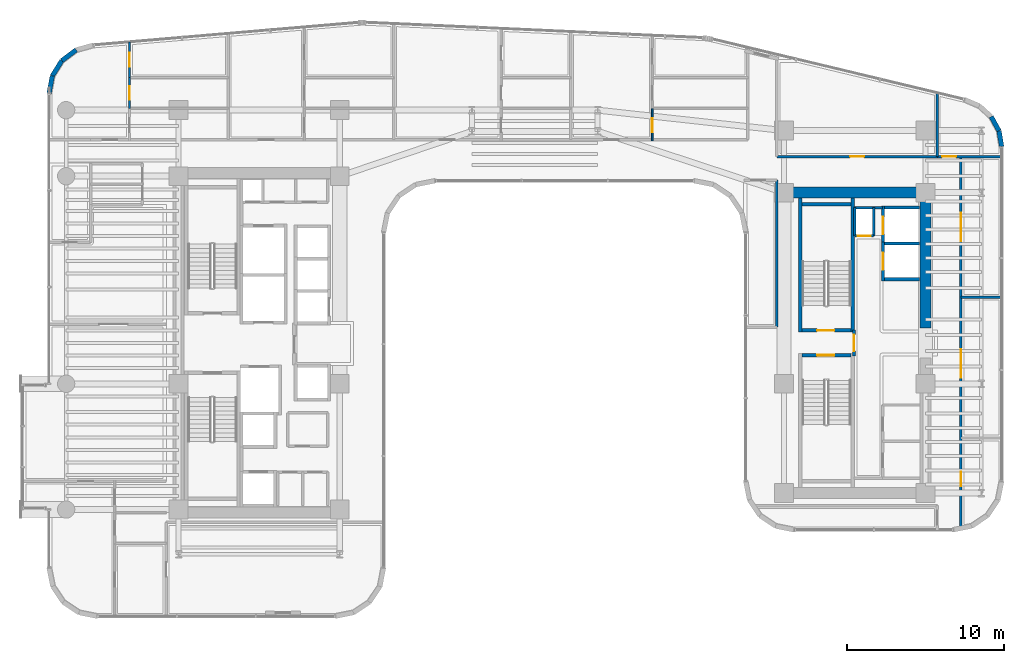
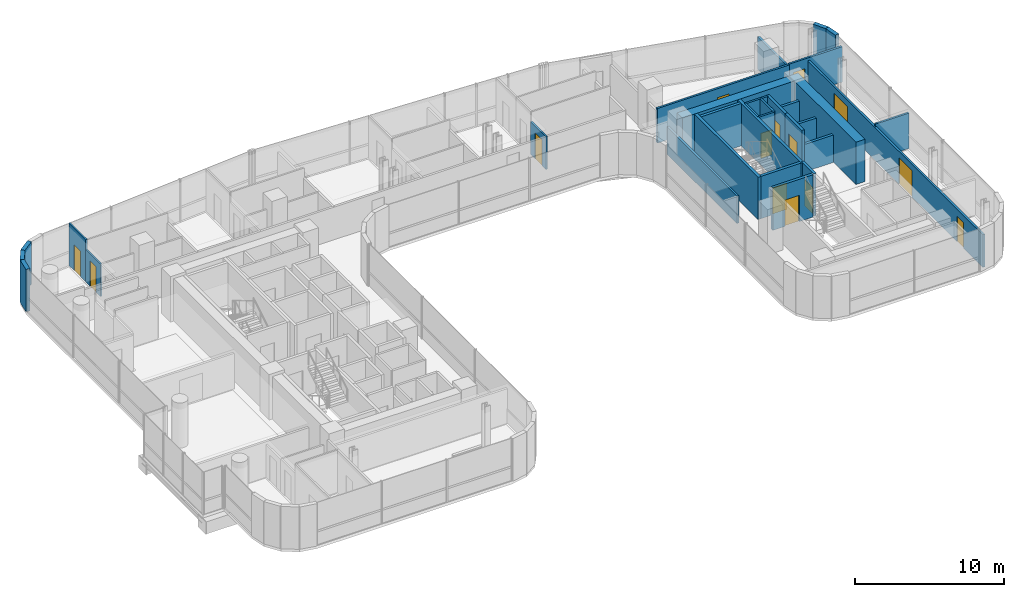
# One storey, part 31 of 38: 31 walls, 14 doors, 14 openings.
"""IFC4 building model written with IfcOpenShell, lengths in metres."""

from ifc_helpers import new_model, si_unit, direction, frame, frame_2d, origin, place, context, subcontext, project, spatial, rectangle, extrude, material, layer, layer_set, type_object, element, fill, save


model = new_model("IFC4")

# Units and contexts
model_context = context("Model", 3, precision=1e-05, world=origin(), true_north=direction((0.0, 1.0)))
body_context = subcontext(model_context, "Body", "Model", "MODEL_VIEW")
ifc_project = project(units=[si_unit("LENGTHUNIT", "METRE"), si_unit("AREAUNIT", "SQUARE_METRE"), si_unit("VOLUMEUNIT", "CUBIC_METRE"), si_unit("PLANEANGLEUNIT", "RADIAN"), si_unit("MASSUNIT", "GRAM", prefix="KILO")], contexts=[model_context])

# Site, building, storey
site_placement = place(None, origin())
site = spatial("IfcSite", under=ifc_project, at=site_placement, CompositionType="ELEMENT")
building_placement = place(site_placement, origin())
building = spatial("IfcBuilding", under=site, at=building_placement, Name="Valdorenza Pilgrim Sanctuary Tower", CompositionType="ELEMENT")
storey_placement = place(building_placement, frame((0.0, 0.0, 131.60009765625)))
storey = spatial("IfcBuildingStorey", under=building, at=storey_placement, Name="L33", CompositionType="ELEMENT", Elevation=131.60009765625)

# Wall, opening, door
ifc_material_1 = material(Name="Acoustic twin-stud gypsum partition", Category="gypsum")
ifc_layer_1 = layer(ifc_material_1, 0.159912109375, Name="Acoustic twin-stud gypsum partition")
ifc_layer_set_1 = layer_set([ifc_layer_1], Name="Acoustic twin-stud gypsum partition")
wall_type_1 = type_object("IfcWallType", Name="WAL-COR-160", PredefinedType="PARTITIONING", material=ifc_layer_set_1)
wall_1_placement = place(storey_placement, frame((20.35009765625, 6.800048828125, 0.0), z_axis=(0.0, 0.0, 1.0), x_axis=(1.0, 0.0, 0.0)))
wall_1 = element("IfcWall", 1, at=wall_1_placement, inside=storey, type_object=wall_type_1, Name="L33 Core B Riser South Wall", PredefinedType="PARTITIONING", context=body_context, shape_type="SweptSolid", body=[
    extrude(rectangle(XDim=1.199951171875, YDim=0.159912109375, at=frame_2d((0.60009765625, 0.0))), origin(), (0.0, 0.0, 1.0), 3.4599609375),
])
opening_1_placement = place(wall_1_placement, frame((0.175048828125, 0.0, 0.0)))
opening_1 = element("IfcOpeningElement", 2, at=opening_1_placement, cuts=wall_1, Name="Opening DR-RS1", PredefinedType="OPENING", context=body_context, shape_type="SweptSolid", body=[
    extrude(rectangle(XDim=0.85009765625, YDim=2.050048828125, at=frame_2d((0.425048828125, 1.02490234375))), frame((0.0, 0.0947265625, 0.0), z_axis=(0.0, -1.0, 0.0), x_axis=(1.0, 0.0, 0.0)), (0.0, 0.0, 1.0), 0.189697265625),
])
ifc_material_2 = material(Name="Painted galvanized steel", Category="steel")
door_type_1 = type_object("IfcDoorType", Name="DR-RSR-850", OperationType="NOTDEFINED", PredefinedType="DOOR", material=ifc_material_2)
door_1_placement = place(opening_1_placement, origin())
door_1 = element("IfcDoor", 3, at=door_1_placement, inside=storey, type_object=door_type_1, Name="L33 Core B Electrical Riser Door", OperationType="SINGLE_SWING_RIGHT", OverallHeight=2.050048828125, OverallWidth=0.85009765625, PredefinedType="DOOR", context=body_context, shape_type="SweptSolid", body=[
    extrude(rectangle(XDim=0.85009765625, YDim=2.050048828125, at=frame_2d((0.425048828125, 1.02490234375))), frame((0.0, 0.02490234375, 0.0), z_axis=(0.0, -1.0, 0.0), x_axis=(1.0, 0.0, 0.0)), (0.0, 0.0, 1.0), 0.050048828125),
])
fill(opening_1, door_1)

# Walls
for number, where, z_axis, x_axis, name in (
    (4, (21.550048828125, 6.800048828125, 0.0), (0.0, 0.0, 1.0), (0.0, 1.0, 0.0), "L33 Core B Riser East Wall"),
    (5, (20.35009765625, 6.800048828125, 0.0), (0.0, 0.0, 1.0), (0.0, 1.0, 0.0), "L33 Core B Riser West Wall"),
):
    element("IfcWall", number, at=place(storey_placement, frame(where, z_axis=z_axis, x_axis=x_axis)), inside=storey, type_object=wall_type_1, Name=name, PredefinedType="PARTITIONING", context=body_context, shape_type="SweptSolid", body=[
        extrude(rectangle(XDim=1.800048828125, YDim=0.159912109375, at=frame_2d((0.89990234375, 0.0))), origin(), (0.0, 0.0, 1.0), 3.4599609375),
    ])
wall_2_placement = place(storey_placement, frame((20.300048828125, 8.60009765625, 0.0), z_axis=(0.0, 0.0, 1.0), x_axis=(1.0, 0.0, 0.0)))
element("IfcWall", 6, at=wall_2_placement, inside=storey, type_object=wall_type_1, Name="L33 Core B Lift Hall North End Wall", PredefinedType="PARTITIONING", context=body_context, shape_type="SweptSolid", body=[
    extrude(rectangle(XDim=1.820068359375, YDim=0.159912109375, at=frame_2d((0.91015625, 0.0))), origin(), (0.0, 0.0, 1.0), 3.4599609375),
])

# Wall, opening, door
wall_3_placement = place(storey_placement, frame((15.39990234375, 11.85009765625, 0.0), z_axis=(0.0, 0.0, 1.0), x_axis=(1.0, 0.0, 0.0)))
wall_3 = element("IfcWall", 7, at=wall_3_placement, inside=storey, type_object=wall_type_1, Name="L33 Wing B North Corridor Wall", PredefinedType="PARTITIONING", context=body_context, shape_type="SweptSolid", body=[
    extrude(rectangle(XDim=10.2001953125, YDim=0.159912109375, at=frame_2d((5.10009765625, 0.0))), origin(), (0.0, 0.0, 1.0), 2.833984375),
])
opening_2_placement = place(wall_3_placement, frame((4.64990234375, 0.0, 0.0)))
opening_2 = element("IfcOpeningElement", 8, at=opening_2_placement, cuts=wall_3, Name="Opening DR-RM1", PredefinedType="OPENING", context=body_context, shape_type="SweptSolid", body=[
    extrude(rectangle(XDim=0.89990234375, YDim=2.10009765625, at=frame_2d((0.449951171875, 1.050048828125))), frame((0.0, 0.0947265625, 0.0), z_axis=(0.0, -1.0, 0.0), x_axis=(1.0, 0.0, 0.0)), (0.0, 0.0, 1.0), 0.189697265625),
])
ifc_material_3 = material(Name="Solid-core European oak timber", Category="wood")
door_type_2 = type_object("IfcDoorType", Name="DR-ROOM-900", OperationType="NOTDEFINED", PredefinedType="DOOR", material=ifc_material_3)
door_2_placement = place(opening_2_placement, origin())
door_2 = element("IfcDoor", 9, at=door_2_placement, inside=storey, type_object=door_type_2, Name="L33 Curator Research Office L33-BN1 Door", OperationType="SINGLE_SWING_RIGHT", OverallHeight=2.10009765625, OverallWidth=0.89990234375, PredefinedType="DOOR", context=body_context, shape_type="SweptSolid", body=[
    extrude(rectangle(XDim=0.89990234375, YDim=2.10009765625, at=frame_2d((0.449951171875, 1.050048828125))), frame((0.0, 0.02490234375, 0.0), z_axis=(0.0, -1.0, 0.0), x_axis=(1.0, 0.0, 0.0)), (0.0, 0.0, 1.0), 0.050048828125),
])
fill(opening_2, door_2)

# Wall
wall_4_placement = place(storey_placement, frame((25.60009765625, 11.85009765625, 0.0), z_axis=(0.0, 0.0, 1.0), x_axis=(0.0, 1.0, 0.0)))
element("IfcWall", 10, at=wall_4_placement, inside=storey, type_object=wall_type_1, Name="L33 Wing B North East Wall", PredefinedType="PARTITIONING", context=body_context, shape_type="SweptSolid", body=[
    extrude(rectangle(XDim=4.042236328125, YDim=0.159912109375, at=frame_2d((2.02099609375, 0.0))), origin(), (0.0, 0.0, 1.0), 2.666015625),
])

# Wall, openings, doors
wall_5_placement = place(storey_placement, frame((27.10009765625, -11.660888671875, 0.0), z_axis=(0.0, 0.0, 1.0), x_axis=(0.0, 1.0, 0.0)))
wall_5 = element("IfcWall", 11, at=wall_5_placement, inside=storey, type_object=wall_type_1, Name="L33 Wing B East Corridor Wall", PredefinedType="PARTITIONING", context=body_context, shape_type="SweptSolid", body=[
    extrude(rectangle(XDim=23.510986328125, YDim=0.159912109375, at=frame_2d((11.75537109375, 0.0))), origin(), (0.0, 0.0, 1.0), 2.666015625),
])
opening_3_placement = place(wall_5_placement, frame((2.56005859375, 0.0, 0.0)))
opening_3 = element("IfcOpeningElement", 12, at=opening_3_placement, cuts=wall_5, Name="Opening DR-RM1", PredefinedType="OPENING", context=body_context, shape_type="SweptSolid", body=[
    extrude(rectangle(XDim=0.89990234375, YDim=2.10009765625, at=frame_2d((0.449951171875, 1.050048828125))), frame((0.0, 0.0947265625, 0.0), z_axis=(0.0, -1.0, 0.0), x_axis=(1.0, 0.0, 0.0)), (0.0, 0.0, 1.0), 0.189697265625),
])
opening_4_placement = place(wall_5_placement, frame((9.450927734375, 0.0, 0.0)))
opening_4 = element("IfcOpeningElement", 13, at=opening_4_placement, cuts=wall_5, Name="Opening DR-HL1", PredefinedType="OPENING", context=body_context, shape_type="SweptSolid", body=[
    extrude(rectangle(XDim=1.800048828125, YDim=2.14990234375, at=frame_2d((0.89990234375, 1.074951171875))), frame((0.0, 0.0947265625, 0.0), z_axis=(0.0, -1.0, 0.0), x_axis=(1.0, 0.0, 0.0)), (0.0, 0.0, 1.0), 0.189697265625),
])
opening_5_placement = place(wall_5_placement, frame((18.135986328125, 0.0, 0.0)))
opening_5 = element("IfcOpeningElement", 14, at=opening_5_placement, cuts=wall_5, Name="Opening DR-HL1", PredefinedType="OPENING", context=body_context, shape_type="SweptSolid", body=[
    extrude(rectangle(XDim=1.800048828125, YDim=2.14990234375, at=frame_2d((0.89990234375, 1.074951171875))), frame((0.0, 0.0947265625, 0.0), z_axis=(0.0, -1.0, 0.0), x_axis=(1.0, 0.0, 0.0)), (0.0, 0.0, 1.0), 0.189697265625),
])
ifc_material_4 = material(Name="Acoustic oak and vision-glass double door", Category="glass")
door_type_3 = type_object("IfcDoorType", Name="DR-HALL-1800", OperationType="NOTDEFINED", PredefinedType="DOOR", material=ifc_material_4)
door_3_placement = place(opening_4_placement, origin())
door_3 = element("IfcDoor", 15, at=door_3_placement, inside=storey, type_object=door_type_3, Name="L33 East Reading Lounge L33-EB2 Door", OperationType="DOUBLE_DOOR_SINGLE_SWING", OverallHeight=2.14990234375, OverallWidth=1.800048828125, PredefinedType="DOOR", context=body_context, shape_type="SweptSolid", body=[
    extrude(rectangle(XDim=1.800048828125, YDim=2.14990234375, at=frame_2d((0.89990234375, 1.074951171875))), frame((0.0, 0.02490234375, 0.0), z_axis=(0.0, -1.0, 0.0), x_axis=(1.0, 0.0, 0.0)), (0.0, 0.0, 1.0), 0.050048828125),
])
fill(opening_4, door_3)
door_4_placement = place(opening_5_placement, frame((1.800048828125, 0.0, 0.0), z_axis=(0.0, 0.0, 1.0), x_axis=(-1.0, 0.0, 0.0)))
door_4 = element("IfcDoor", 16, at=door_4_placement, inside=storey, type_object=door_type_3, Name="L33 East Reading Lounge L33-EB3 Door", OperationType="DOUBLE_DOOR_SINGLE_SWING", OverallHeight=2.14990234375, OverallWidth=1.800048828125, PredefinedType="DOOR", context=body_context, shape_type="SweptSolid", body=[
    extrude(rectangle(XDim=1.800048828125, YDim=2.14990234375, at=frame_2d((0.89990234375, 1.074951171875))), frame((0.0, 0.02490234375, 0.0), z_axis=(0.0, -1.0, 0.0), x_axis=(1.0, 0.0, 0.0)), (0.0, 0.0, 1.0), 0.050048828125),
])
fill(opening_5, door_4)
door_5_placement = place(opening_3_placement, frame((0.89990234375, 0.0, 0.0), z_axis=(0.0, 0.0, 1.0), x_axis=(-1.0, 0.0, 0.0)))
door_5 = element("IfcDoor", 17, at=door_5_placement, inside=storey, type_object=door_type_2, Name="L33 East Reading Lounge L33-EB1 Door", OperationType="SINGLE_SWING_LEFT", OverallHeight=2.10009765625, OverallWidth=0.89990234375, PredefinedType="DOOR", context=body_context, shape_type="SweptSolid", body=[
    extrude(rectangle(XDim=0.89990234375, YDim=2.10009765625, at=frame_2d((0.449951171875, 1.050048828125))), frame((0.0, 0.02490234375, 0.0), z_axis=(0.0, -1.0, 0.0), x_axis=(1.0, 0.0, 0.0)), (0.0, 0.0, 1.0), 0.050048828125),
])
fill(opening_3, door_5)

# Wall, opening, door
wall_6_placement = place(storey_placement, frame((25.60009765625, 11.85009765625, 0.0), z_axis=(0.0, 0.0, 1.0), x_axis=(1.0, 0.0, 0.0)))
wall_6 = element("IfcWall", 18, at=wall_6_placement, inside=storey, type_object=wall_type_1, Name="L33 East Wing NE Corner South Wall", PredefinedType="PARTITIONING", context=body_context, shape_type="SweptSolid", body=[
    extrude(rectangle(XDim=4.08984375, YDim=0.159912109375, at=frame_2d((2.044921875, 0.0))), origin(), (0.0, 0.0, 1.0), 2.89599609375),
])
opening_6_placement = place(wall_6_placement, frame((0.300048828125, 0.0, 0.0)))
opening_6 = element("IfcOpeningElement", 19, at=opening_6_placement, cuts=wall_6, Name="Opening DR-RM1", PredefinedType="OPENING", context=body_context, shape_type="SweptSolid", body=[
    extrude(rectangle(XDim=0.89990234375, YDim=2.10009765625, at=frame_2d((0.449951171875, 1.050048828125))), frame((0.0, 0.0947265625, 0.0), z_axis=(0.0, -1.0, 0.0), x_axis=(1.0, 0.0, 0.0)), (0.0, 0.0, 1.0), 0.189697265625),
])
door_6_placement = place(opening_6_placement, origin())
door_6 = element("IfcDoor", 20, at=door_6_placement, inside=storey, type_object=door_type_2, Name="L33 East North Alcove Office L33 Door", OperationType="SINGLE_SWING_RIGHT", OverallHeight=2.10009765625, OverallWidth=0.89990234375, PredefinedType="DOOR", context=body_context, shape_type="SweptSolid", body=[
    extrude(rectangle(XDim=0.89990234375, YDim=2.10009765625, at=frame_2d((0.449951171875, 1.050048828125))), frame((0.0, 0.02490234375, 0.0), z_axis=(0.0, -1.0, 0.0), x_axis=(1.0, 0.0, 0.0)), (0.0, 0.0, 1.0), 0.050048828125),
])
fill(opening_6, door_6)

# Walls
wall_7_placement = place(storey_placement, frame((15.39990234375, 1.0, 0.0), z_axis=(0.0, 0.0, 1.0), x_axis=(0.0, 1.0, 0.0)))
element("IfcWall", 21, at=wall_7_placement, inside=storey, type_object=wall_type_1, Name="L33 Courtyard Overlook East Wall", PredefinedType="PARTITIONING", context=body_context, shape_type="SweptSolid", body=[
    extrude(rectangle(XDim=9.35009765625, YDim=0.159912109375, at=frame_2d((4.675048828125, 0.0))), origin(), (0.0, 0.0, 1.0), 2.244873046875),
])
ifc_material_5 = material(Name="Concrete C60/75", Category="concrete")
ifc_layer_2 = layer(ifc_material_5, 0.699951171875, Name="Concrete C60/75")
ifc_layer_set_2 = layer_set([ifc_layer_2], Name="Concrete C60/75")
wall_type_2 = type_object("IfcWallType", Name="WAL-COR-700", PredefinedType="SHEAR", material=ifc_layer_set_2)
wall_8_placement = place(storey_placement, frame((24.85009765625, 0.949951171875, 0.0), z_axis=(0.0, 0.0, 1.0), x_axis=(0.0, 1.0, 0.0)))
element("IfcWall", 22, at=wall_8_placement, inside=storey, type_object=wall_type_2, Name="L33 Split Core B Shear Wall EN", PredefinedType="SHEAR", context=body_context, shape_type="SweptSolid", body=[
    extrude(rectangle(XDim=8.949951171875, YDim=0.699951171875, at=frame_2d((4.47509765625, 0.0))), origin(), (0.0, 0.0, 1.0), 3.4599609375),
])
wall_9_placement = place(storey_placement, frame((15.85009765625, 9.550048828125, 0.0), z_axis=(0.0, 0.0, 1.0), x_axis=(1.0, 0.0, 0.0)))
element("IfcWall", 23, at=wall_9_placement, inside=storey, type_object=wall_type_2, Name="L33 Split Core B Shear Wall N", PredefinedType="SHEAR", context=body_context, shape_type="SweptSolid", body=[
    extrude(rectangle(XDim=9.0, YDim=0.699951171875, at=frame_2d((4.5, 0.0))), origin(), (0.0, 0.0, 1.0), 3.4599609375),
])
ifc_material_6 = material(Name="Honed travertine limestone", Category="masonry")
ifc_layer_3 = layer(ifc_material_6, 0.300048828125, Name="Honed travertine limestone")
ifc_layer_set_3 = layer_set([ifc_layer_3], Name="Honed travertine limestone")
wall_type_3 = type_object("IfcWallType", Name="WAL-EXT-300", PredefinedType="SOLIDWALL", material=ifc_layer_set_3)
wall_10_placement = place(storey_placement, frame((-30.889892578125, 15.850341796875, 0.0), z_axis=(0.0, 0.0, 1.0), x_axis=(0.184557499391, 0.982821718023, 0.0)))
element("IfcWall", 24, at=wall_10_placement, inside=storey, type_object=wall_type_3, Name="L33 Rounded Wind-Corner Stone Pier 2", PredefinedType="SOLIDWALL", context=body_context, shape_type="SweptSolid", body=[
    extrude(rectangle(XDim=1.15087890625, YDim=0.300048828125, at=frame_2d((0.575439453125, 0.0))), origin(), (0.0, 0.0, 1.0), 3.4599609375),
])
wall_11_placement = place(storey_placement, frame((-30.677490234375, 16.9814453125, 0.0), z_axis=(0.0, 0.0, 1.0), x_axis=(0.52880576008, 0.848742875143, 0.0)))
element("IfcWall", 25, at=wall_11_placement, inside=storey, type_object=wall_type_3, Name="L33 Rounded Wind-Corner Stone Pier 3", PredefinedType="SOLIDWALL", context=body_context, shape_type="SweptSolid", body=[
    extrude(rectangle(XDim=1.140869140625, YDim=0.300048828125, at=frame_2d((0.5703125, 0.0))), origin(), (0.0, 0.0, 1.0), 3.4599609375),
])
wall_12_placement = place(storey_placement, frame((-30.07421875, 17.94970703125, 0.0), z_axis=(0.0, 0.0, 1.0), x_axis=(0.800975009324, 0.598697782223, 0.0)))
element("IfcWall", 26, at=wall_12_placement, inside=storey, type_object=wall_type_3, Name="L33 Rounded Wind-Corner Stone Pier 4", PredefinedType="SOLIDWALL", context=body_context, shape_type="SweptSolid", body=[
    extrude(rectangle(XDim=1.140625, YDim=0.300048828125, at=frame_2d((0.5703125, 0.0))), origin(), (0.0, 0.0, 1.0), 3.4599609375),
])
wall_13_placement = place(storey_placement, frame((29.024658203125, 14.388427734375, 0.0), z_axis=(0.0, 0.0, 1.0), x_axis=(0.480284137298, -0.87711296163, 0.0)))
element("IfcWall", 27, at=wall_13_placement, inside=storey, type_object=wall_type_3, Name="L33 Rounded Wind-Corner Stone Pier 19", PredefinedType="SOLIDWALL", context=body_context, shape_type="SweptSolid", body=[
    extrude(rectangle(XDim=1.02685546875, YDim=0.300048828125, at=frame_2d((0.513427734375, 0.0))), origin(), (0.0, 0.0, 1.0), 3.4599609375),
])
wall_14_placement = place(storey_placement, frame((29.517822265625, 13.48779296875, 0.0), z_axis=(0.0, 0.0, 1.0), x_axis=(0.166156796952, -0.986099345313, 0.0)))
element("IfcWall", 28, at=wall_14_placement, inside=storey, type_object=wall_type_3, Name="L33 Rounded Wind-Corner Stone Pier 20", PredefinedType="SOLIDWALL", context=body_context, shape_type="SweptSolid", body=[
    extrude(rectangle(XDim=1.035888671875, YDim=0.300048828125, at=frame_2d((0.51806640625, 0.0))), origin(), (0.0, 0.0, 1.0), 3.4599609375),
])

# Wall, opening, door
ifc_material_7 = material(Name="Gypsum shaftwall partition", Category="gypsum")
ifc_layer_4 = layer(ifc_material_7, 0.199951171875, Name="Gypsum shaftwall partition")
ifc_layer_set_4 = layer_set([ifc_layer_4], Name="Gypsum shaftwall partition")
wall_type_4 = type_object("IfcWallType", Name="WAL-FFL-200", PredefinedType="PARTITIONING", material=ifc_layer_set_4)
wall_15_placement = place(storey_placement, frame((20.300048828125, -0.820068359375, 0.0), z_axis=(0.0, 0.0, 1.0), x_axis=(0.0, 1.0, 0.0)))
wall_15 = element("IfcWall", 29, at=wall_15_placement, inside=storey, type_object=wall_type_4, Name="L33 Core B Firefighting Lobby East Wall", PredefinedType="PARTITIONING", context=body_context, shape_type="SweptSolid", body=[
    extrude(rectangle(XDim=1.64013671875, YDim=0.199951171875, at=frame_2d((0.820068359375, 0.0))), origin(), (0.0, 0.0, 1.0), 3.4599609375),
])
opening_7_placement = place(wall_15_placement, frame((0.294921875, 0.0, 0.0)))
opening_7 = element("IfcOpeningElement", 30, at=opening_7_placement, cuts=wall_15, Name="Opening DR-FL1", PredefinedType="OPENING", context=body_context, shape_type="SweptSolid", body=[
    extrude(rectangle(XDim=1.050048828125, YDim=2.14990234375, at=frame_2d((0.52490234375, 1.074951171875))), frame((0.0, 0.11474609375, 0.0), z_axis=(0.0, -1.0, 0.0), x_axis=(1.0, 0.0, 0.0)), (0.0, 0.0, 1.0), 0.229736328125),
])
door_type_4 = type_object("IfcDoorType", Name="DR-FFL-1050", OperationType="NOTDEFINED", PredefinedType="DOOR", material=ifc_material_2)
door_7_placement = place(opening_7_placement, frame((1.050048828125, 0.0, 0.0), z_axis=(0.0, 0.0, 1.0), x_axis=(-1.0, 0.0, 0.0)))
door_7 = element("IfcDoor", 31, at=door_7_placement, inside=storey, type_object=door_type_4, Name="L33 Core B Firefighting Lobby Door", OperationType="SINGLE_SWING_LEFT", OverallHeight=2.14990234375, OverallWidth=1.050048828125, PredefinedType="DOOR", context=body_context, shape_type="SweptSolid", body=[
    extrude(rectangle(XDim=1.050048828125, YDim=2.14990234375, at=frame_2d((0.52490234375, 1.074951171875))), frame((0.0, 0.02490234375, 0.0), z_axis=(0.0, -1.0, 0.0), x_axis=(1.0, 0.0, 0.0)), (0.0, 0.0, 1.0), 0.050048828125),
])
fill(opening_7, door_7)

ifc_material_8 = material(Name="Moisture-resistant gypsum partition", Category="gypsum")
ifc_layer_5 = layer(ifc_material_8, 0.1201171875, Name="Moisture-resistant gypsum partition")
ifc_layer_set_5 = layer_set([ifc_layer_5], Name="Moisture-resistant gypsum partition")
wall_type_5 = type_object("IfcWallType", Name="WAL-INT-120", PredefinedType="PARTITIONING", material=ifc_layer_set_5)
wall_16_placement = place(storey_placement, frame((-25.77490234375, 14.919921875, 0.0), z_axis=(0.0, 0.0, 1.0), x_axis=(0.0, 1.0, 0.0)))
wall_16 = element("IfcWall", 32, at=wall_16_placement, inside=storey, type_object=wall_type_5, Name="L33 North Sanctuary Apartment L33-N1 Bathroom Door Wall", PredefinedType="PARTITIONING", context=body_context, shape_type="SweptSolid", body=[
    extrude(rectangle(XDim=1.9501953125, YDim=0.1201171875, at=frame_2d((0.97509765625, 0.0))), origin(), (0.0, 0.0, 1.0), 2.666015625),
])
opening_8_placement = place(wall_16_placement, frame((0.550048828125, 0.0, 0.0)))
opening_8 = element("IfcOpeningElement", 33, at=opening_8_placement, cuts=wall_16, Name="Opening DR-WC1", PredefinedType="OPENING", context=body_context, shape_type="SweptSolid", body=[
    extrude(rectangle(XDim=0.85009765625, YDim=2.10009765625, at=frame_2d((0.425048828125, 1.050048828125))), frame((0.0, 0.074951171875, 0.0), z_axis=(0.0, -1.0, 0.0), x_axis=(1.0, 0.0, 0.0)), (0.0, 0.0, 1.0), 0.14990234375),
])
ifc_material_9 = material(Name="Moisture-resistant lacquered timber", Category="wood")
door_type_5 = type_object("IfcDoorType", Name="DR-BATH-850", OperationType="NOTDEFINED", PredefinedType="DOOR", material=ifc_material_9)
door_8_placement = place(opening_8_placement, origin())
door_8 = element("IfcDoor", 34, at=door_8_placement, inside=storey, type_object=door_type_5, Name="L33 North Sanctuary Apartment L33-N1 Bathroom Door", OperationType="SINGLE_SWING_LEFT", OverallHeight=2.10009765625, OverallWidth=0.85009765625, PredefinedType="DOOR", context=body_context, shape_type="SweptSolid", body=[
    extrude(rectangle(XDim=0.85009765625, YDim=2.10009765625, at=frame_2d((0.425048828125, 1.050048828125))), frame((0.0, 0.02490234375, 0.0), z_axis=(0.0, -1.0, 0.0), x_axis=(1.0, 0.0, 0.0)), (0.0, 0.0, 1.0), 0.050048828125),
])
fill(opening_8, door_8)

wall_17_placement = place(storey_placement, frame((-25.77490234375, 16.8701171875, 0.0), z_axis=(0.0, 0.0, 1.0), x_axis=(0.0, 1.0, 0.0)))
wall_17 = element("IfcWall", 35, at=wall_17_placement, inside=storey, type_object=wall_type_5, Name="L33 North Sanctuary Apartment L33-N1 Bedroom Door Wall", PredefinedType="PARTITIONING", context=body_context, shape_type="SweptSolid", body=[
    extrude(rectangle(XDim=2.263671875, YDim=0.1201171875, at=frame_2d((1.1318359375, 0.0))), origin(), (0.0, 0.0, 1.0), 3.4599609375),
])
opening_9_placement = place(wall_17_placement, frame((0.681884765625, 0.0, 0.0)))
opening_9 = element("IfcOpeningElement", 36, at=opening_9_placement, cuts=wall_17, Name="Opening DR-RM1", PredefinedType="OPENING", context=body_context, shape_type="SweptSolid", body=[
    extrude(rectangle(XDim=0.89990234375, YDim=2.10009765625, at=frame_2d((0.449951171875, 1.050048828125))), frame((0.0, 0.074951171875, 0.0), z_axis=(0.0, -1.0, 0.0), x_axis=(1.0, 0.0, 0.0)), (0.0, 0.0, 1.0), 0.14990234375),
])
door_9_placement = place(opening_9_placement, frame((0.89990234375, 0.0, 0.0), z_axis=(0.0, 0.0, 1.0), x_axis=(-1.0, 0.0, 0.0)))
door_9 = element("IfcDoor", 37, at=door_9_placement, inside=storey, type_object=door_type_2, Name="L33 North Sanctuary Apartment L33-N1 Bedroom Door", OperationType="SINGLE_SWING_LEFT", OverallHeight=2.10009765625, OverallWidth=0.89990234375, PredefinedType="DOOR", context=body_context, shape_type="SweptSolid", body=[
    extrude(rectangle(XDim=0.89990234375, YDim=2.10009765625, at=frame_2d((0.449951171875, 1.050048828125))), frame((0.0, 0.02490234375, 0.0), z_axis=(0.0, -1.0, 0.0), x_axis=(1.0, 0.0, 0.0)), (0.0, 0.0, 1.0), 0.050048828125),
])
fill(opening_9, door_9)

wall_18_placement = place(storey_placement, frame((7.468017578125, 12.840087890625, 0.0), z_axis=(0.0, 0.0, 1.0), x_axis=(0.0, 1.0, 0.0)))
wall_18 = element("IfcWall", 38, at=wall_18_placement, inside=storey, type_object=wall_type_5, Name="L33 North Sanctuary Apartment L33-N4 Kitchen Door Wall", PredefinedType="PARTITIONING", context=body_context, shape_type="SweptSolid", body=[
    extrude(rectangle(XDim=2.079833984375, YDim=0.1201171875, at=frame_2d((1.0400390625, 0.0))), origin(), (0.0, 0.0, 1.0), 2.666015625),
])
opening_10_placement = place(wall_18_placement, frame((0.550048828125, 0.0, 0.0)))
opening_10 = element("IfcOpeningElement", 39, at=opening_10_placement, cuts=wall_18, Name="Opening DR-RM1", PredefinedType="OPENING", context=body_context, shape_type="SweptSolid", body=[
    extrude(rectangle(XDim=0.89990234375, YDim=2.10009765625, at=frame_2d((0.449951171875, 1.050048828125))), frame((0.0, 0.074951171875, 0.0), z_axis=(0.0, -1.0, 0.0), x_axis=(1.0, 0.0, 0.0)), (0.0, 0.0, 1.0), 0.14990234375),
])
door_10_placement = place(opening_10_placement, origin())
door_10 = element("IfcDoor", 40, at=door_10_placement, inside=storey, type_object=door_type_2, Name="L33 North Sanctuary Apartment L33-N4 Kitchen Door", OperationType="SINGLE_SWING_RIGHT", OverallHeight=2.10009765625, OverallWidth=0.89990234375, PredefinedType="DOOR", context=body_context, shape_type="SweptSolid", body=[
    extrude(rectangle(XDim=0.89990234375, YDim=2.10009765625, at=frame_2d((0.449951171875, 1.050048828125))), frame((0.0, 0.02490234375, 0.0), z_axis=(0.0, -1.0, 0.0), x_axis=(1.0, 0.0, 0.0)), (0.0, 0.0, 1.0), 0.050048828125),
])
fill(opening_10, door_10)

ifc_material_10 = material(Name="Autoclaved aerated concrete blockwork", Category="masonry")
ifc_layer_6 = layer(ifc_material_10, 0.199951171875, Name="Autoclaved aerated concrete blockwork")
ifc_layer_set_6 = layer_set([ifc_layer_6], Name="Autoclaved aerated concrete blockwork")
wall_type_6 = type_object("IfcWallType", Name="WAL-SHF-200", PredefinedType="MOVABLE", material=ifc_layer_set_6)
wall_19_placement = place(storey_placement, frame((22.14990234375, 3.949951171875, 0.0), z_axis=(0.0, 0.0, 1.0), x_axis=(0.0, 1.0, 0.0)))
wall_19 = element("IfcWall", 41, at=wall_19_placement, inside=storey, type_object=wall_type_6, Name="L33 Lift PL-07 Hoistway Wall West", PredefinedType="MOVABLE", context=body_context, shape_type="SweptSolid", body=[
    extrude(rectangle(XDim=2.47509765625, YDim=0.199951171875, at=frame_2d((1.237548828125, 0.0))), origin(), (0.0, 0.0, 1.0), 3.4599609375),
])
opening_11_placement = place(wall_19_placement, frame((0.6875, 0.0, 0.0)))
opening_11 = element("IfcOpeningElement", 42, at=opening_11_placement, cuts=wall_19, Name="Opening LD-01", PredefinedType="OPENING", context=body_context, shape_type="SweptSolid", body=[
    extrude(rectangle(XDim=1.10009765625, YDim=2.10009765625, at=frame_2d((0.550048828125, 1.050048828125))), frame((0.0, 0.11474609375, 0.0), z_axis=(0.0, -1.0, 0.0), x_axis=(1.0, 0.0, 0.0)), (0.0, 0.0, 1.0), 0.229736328125),
])
ifc_material_11 = material(Name="Brushed stainless steel Grade 316", Category="steel")
door_type_6 = type_object("IfcDoorType", Name="DR-LFT-1100", OperationType="DOUBLE_DOOR_SLIDING", PredefinedType="DOOR", material=ifc_material_11)
door_11_placement = place(opening_11_placement, origin())
door_11 = element("IfcDoor", 43, at=door_11_placement, inside=storey, type_object=door_type_6, Name="L33 Lift PL-07 Sliding Landing Door", OperationType="DOUBLE_DOOR_SLIDING", OverallHeight=2.10009765625, OverallWidth=1.10009765625, PredefinedType="DOOR", context=body_context, shape_type="SweptSolid", body=[
    extrude(rectangle(XDim=1.10009765625, YDim=2.10009765625, at=frame_2d((0.550048828125, 1.050048828125))), frame((0.0, 0.02490234375, 0.0), z_axis=(0.0, -1.0, 0.0), x_axis=(1.0, 0.0, 0.0)), (0.0, 0.0, 1.0), 0.050048828125),
])
fill(opening_11, door_11)

# Walls
for number, where, z_axis, x_axis, name in (
    (44, (22.25, 4.050048828125, 0.0), (0.0, 0.0, 1.0), (1.0, 0.0, 0.0), "L33 Lift PL-07 Hoistway Wall South"),
    (45, (22.25, 6.324951171875, 0.0), (0.0, 0.0, 1.0), (1.0, 0.0, 0.0), "L33 Lift PL-07 Hoistway Wall North"),
):
    element("IfcWall", number, at=place(storey_placement, frame(where, z_axis=z_axis, x_axis=x_axis)), inside=storey, type_object=wall_type_6, Name=name, PredefinedType="MOVABLE", context=body_context, shape_type="SweptSolid", body=[
        extrude(rectangle(XDim=2.22998046875, YDim=0.199951171875, at=frame_2d((1.114990234375, 0.0))), origin(), (0.0, 0.0, 1.0), 2.244873046875),
    ])

# Wall, opening, door
wall_20_placement = place(storey_placement, frame((22.14990234375, 6.22509765625, 0.0), z_axis=(0.0, 0.0, 1.0), x_axis=(0.0, 1.0, 0.0)))
wall_20 = element("IfcWall", 46, at=wall_20_placement, inside=storey, type_object=wall_type_6, Name="L33 Lift PL-08 Hoistway Wall West", PredefinedType="MOVABLE", context=body_context, shape_type="SweptSolid", body=[
    extrude(rectangle(XDim=2.474853515625, YDim=0.199951171875, at=frame_2d((1.2373046875, 0.0))), origin(), (0.0, 0.0, 1.0), 3.4599609375),
])
opening_12_placement = place(wall_20_placement, frame((0.6875, 0.0, 0.0)))
opening_12 = element("IfcOpeningElement", 47, at=opening_12_placement, cuts=wall_20, Name="Opening LD-01", PredefinedType="OPENING", context=body_context, shape_type="SweptSolid", body=[
    extrude(rectangle(XDim=1.10009765625, YDim=2.10009765625, at=frame_2d((0.550048828125, 1.050048828125))), frame((0.0, 0.11474609375, 0.0), z_axis=(0.0, -1.0, 0.0), x_axis=(1.0, 0.0, 0.0)), (0.0, 0.0, 1.0), 0.229736328125),
])
door_12_placement = place(opening_12_placement, origin())
door_12 = element("IfcDoor", 48, at=door_12_placement, inside=storey, type_object=door_type_6, Name="L33 Lift PL-08 Sliding Landing Door", OperationType="DOUBLE_DOOR_SLIDING", OverallHeight=2.10009765625, OverallWidth=1.10009765625, PredefinedType="DOOR", context=body_context, shape_type="SweptSolid", body=[
    extrude(rectangle(XDim=1.10009765625, YDim=2.10009765625, at=frame_2d((0.550048828125, 1.050048828125))), frame((0.0, 0.02490234375, 0.0), z_axis=(0.0, -1.0, 0.0), x_axis=(1.0, 0.0, 0.0)), (0.0, 0.0, 1.0), 0.050048828125),
])
fill(opening_12, door_12)

# Walls
wall_21_placement = place(storey_placement, frame((22.25, 8.60009765625, 0.0), z_axis=(0.0, 0.0, 1.0), x_axis=(1.0, 0.0, 0.0)))
element("IfcWall", 49, at=wall_21_placement, inside=storey, type_object=wall_type_6, Name="L33 Lift PL-08 Hoistway Wall North", PredefinedType="MOVABLE", context=body_context, shape_type="SweptSolid", body=[
    extrude(rectangle(XDim=2.22998046875, YDim=0.199951171875, at=frame_2d((1.114990234375, 0.0))), origin(), (0.0, 0.0, 1.0), 2.244873046875),
])
ifc_material_12 = material(Name="Concrete C40/50", Category="concrete")
ifc_layer_7 = layer(ifc_material_12, 0.219970703125, Name="Concrete C40/50")
ifc_layer_set_7 = layer_set([ifc_layer_7], Name="Concrete C40/50")
wall_type_7 = type_object("IfcWallType", Name="WAL-STR-SHF-220", PredefinedType="SHEAR", material=ifc_layer_set_7)
for number, where, z_axis, x_axis, name in (
    (50, (16.889892578125, 0.679931640625, 0.0), (0.0, 0.0, 1.0), (0.0, 1.0, 0.0), "L33 ST-B1 Structural Stairwell Wall W"),
    (51, (20.219970703125, 0.679931640625, 0.0), (0.0, 0.0, 1.0), (0.0, 1.0, 0.0), "L33 ST-B1 Structural Stairwell Wall E"),
):
    element("IfcWall", number, at=place(storey_placement, frame(where, z_axis=z_axis, x_axis=x_axis)), inside=storey, type_object=wall_type_7, Name=name, PredefinedType="SHEAR", context=body_context, shape_type="SweptSolid", body=[
        extrude(rectangle(XDim=8.52001953125, YDim=0.219970703125, at=frame_2d((4.260009765625, 0.0))), origin(), (0.0, 0.0, 1.0), 3.4599609375),
    ])

# Wall, opening, door
wall_22_placement = place(storey_placement, frame((17.0, 0.7900390625, 0.0), z_axis=(0.0, 0.0, 1.0), x_axis=(1.0, 0.0, 0.0)))
wall_22 = element("IfcWall", 52, at=wall_22_placement, inside=storey, type_object=wall_type_7, Name="L33 ST-B1 Structural Stairwell Wall S", PredefinedType="SHEAR", context=body_context, shape_type="SweptSolid", body=[
    extrude(rectangle(XDim=3.110107421875, YDim=0.219970703125, at=frame_2d((1.55517578125, 0.0))), origin(), (0.0, 0.0, 1.0), 3.4599609375),
])
opening_13_placement = place(wall_22_placement, frame((0.949951171875, 0.0, 0.0)))
opening_13 = element("IfcOpeningElement", 53, at=opening_13_placement, cuts=wall_22, Name="Opening DR-ST1", PredefinedType="OPENING", context=body_context, shape_type="SweptSolid", body=[
    extrude(rectangle(XDim=1.10009765625, YDim=2.14990234375, at=frame_2d((0.550048828125, 1.074951171875))), frame((0.0, 0.125, 0.0), z_axis=(0.0, -1.0, 0.0), x_axis=(1.0, 0.0, 0.0)), (0.0, 0.0, 1.0), 0.249755859375),
])
door_type_7 = type_object("IfcDoorType", Name="DR-STAIR-1100", OperationType="NOTDEFINED", PredefinedType="DOOR", material=ifc_material_2)
door_13_placement = place(opening_13_placement, origin())
door_13 = element("IfcDoor", 54, at=door_13_placement, inside=storey, type_object=door_type_7, Name="L33 Exit Stair ST-B1 Door", OperationType="SINGLE_SWING_RIGHT", OverallHeight=2.14990234375, OverallWidth=1.10009765625, PredefinedType="DOOR", context=body_context, shape_type="SweptSolid", body=[
    extrude(rectangle(XDim=1.10009765625, YDim=2.14990234375, at=frame_2d((0.550048828125, 1.074951171875))), frame((0.0, 0.02490234375, 0.0), z_axis=(0.0, -1.0, 0.0), x_axis=(1.0, 0.0, 0.0)), (0.0, 0.0, 1.0), 0.050048828125),
])
fill(opening_13, door_13)

# Wall
wall_23_placement = place(storey_placement, frame((17.0, 8.81005859375, 0.0), z_axis=(0.0, 0.0, 1.0), x_axis=(1.0, 0.0, 0.0)))
element("IfcWall", 55, at=wall_23_placement, inside=storey, type_object=wall_type_7, Name="L33 ST-B1 Structural Stairwell Wall N", PredefinedType="SHEAR", context=body_context, shape_type="SweptSolid", body=[
    extrude(rectangle(XDim=3.110107421875, YDim=0.219970703125, at=frame_2d((1.55517578125, 0.0))), origin(), (0.0, 0.0, 1.0), 3.4599609375),
])

# Wall, opening, door
wall_24_placement = place(storey_placement, frame((17.0, -0.7900390625, 0.0), z_axis=(0.0, 0.0, 1.0), x_axis=(1.0, 0.0, 0.0)))
wall_24 = element("IfcWall", 56, at=wall_24_placement, inside=storey, type_object=wall_type_7, Name="L33 ST-B2 Structural Stairwell Wall N", PredefinedType="SHEAR", context=body_context, shape_type="SweptSolid", body=[
    extrude(rectangle(XDim=3.110107421875, YDim=0.219970703125, at=frame_2d((1.55517578125, 0.0))), origin(), (0.0, 0.0, 1.0), 3.4599609375),
])
opening_14_placement = place(wall_24_placement, frame((0.949951171875, 0.0, 0.0)))
opening_14 = element("IfcOpeningElement", 57, at=opening_14_placement, cuts=wall_24, Name="Opening DR-ST1", PredefinedType="OPENING", context=body_context, shape_type="SweptSolid", body=[
    extrude(rectangle(XDim=1.10009765625, YDim=2.14990234375, at=frame_2d((0.550048828125, 1.074951171875))), frame((0.0, 0.125, 0.0), z_axis=(0.0, -1.0, 0.0), x_axis=(1.0, 0.0, 0.0)), (0.0, 0.0, 1.0), 0.249755859375),
])
door_14_placement = place(opening_14_placement, frame((1.10009765625, 0.0, 0.0), z_axis=(0.0, 0.0, 1.0), x_axis=(-1.0, 0.0, 0.0)))
door_14 = element("IfcDoor", 58, at=door_14_placement, inside=storey, type_object=door_type_7, Name="L33 Exit Stair ST-B2 Door", OperationType="SINGLE_SWING_LEFT", OverallHeight=2.14990234375, OverallWidth=1.10009765625, PredefinedType="DOOR", context=body_context, shape_type="SweptSolid", body=[
    extrude(rectangle(XDim=1.10009765625, YDim=2.14990234375, at=frame_2d((0.550048828125, 1.074951171875))), frame((0.0, 0.02490234375, 0.0), z_axis=(0.0, -1.0, 0.0), x_axis=(1.0, 0.0, 0.0)), (0.0, 0.0, 1.0), 0.050048828125),
])
fill(opening_14, door_14)

# Wall
ifc_layer_8 = layer(ifc_material_1, 0.14990234375, Name="Acoustic twin-stud gypsum partition")
ifc_layer_set_8 = layer_set([ifc_layer_8], Name="Acoustic twin-stud gypsum partition")
wall_type_8 = type_object("IfcWallType", Name="WAL-UNT-150", PredefinedType="PARTITIONING", material=ifc_layer_set_8)
wall_25_placement = place(storey_placement, frame((27.10009765625, 2.89990234375, 0.0), z_axis=(0.0, 0.0, 1.0), x_axis=(1.0, 0.0, 0.0)))
element("IfcWall", 59, at=wall_25_placement, inside=storey, type_object=wall_type_8, Name="L33 East Reading Lounge L33-EB3 Demising Wall", PredefinedType="PARTITIONING", context=body_context, shape_type="SweptSolid", body=[
    extrude(rectangle(XDim=2.58984375, YDim=0.14990234375, at=frame_2d((1.294921875, 0.0))), origin(), (0.0, 0.0, 1.0), 2.89599609375),
])

save(model, "model.ifc")
